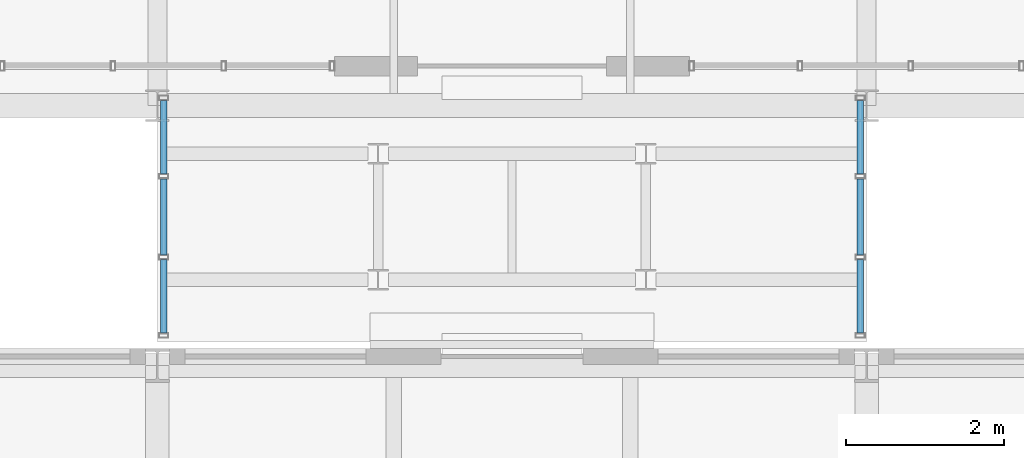
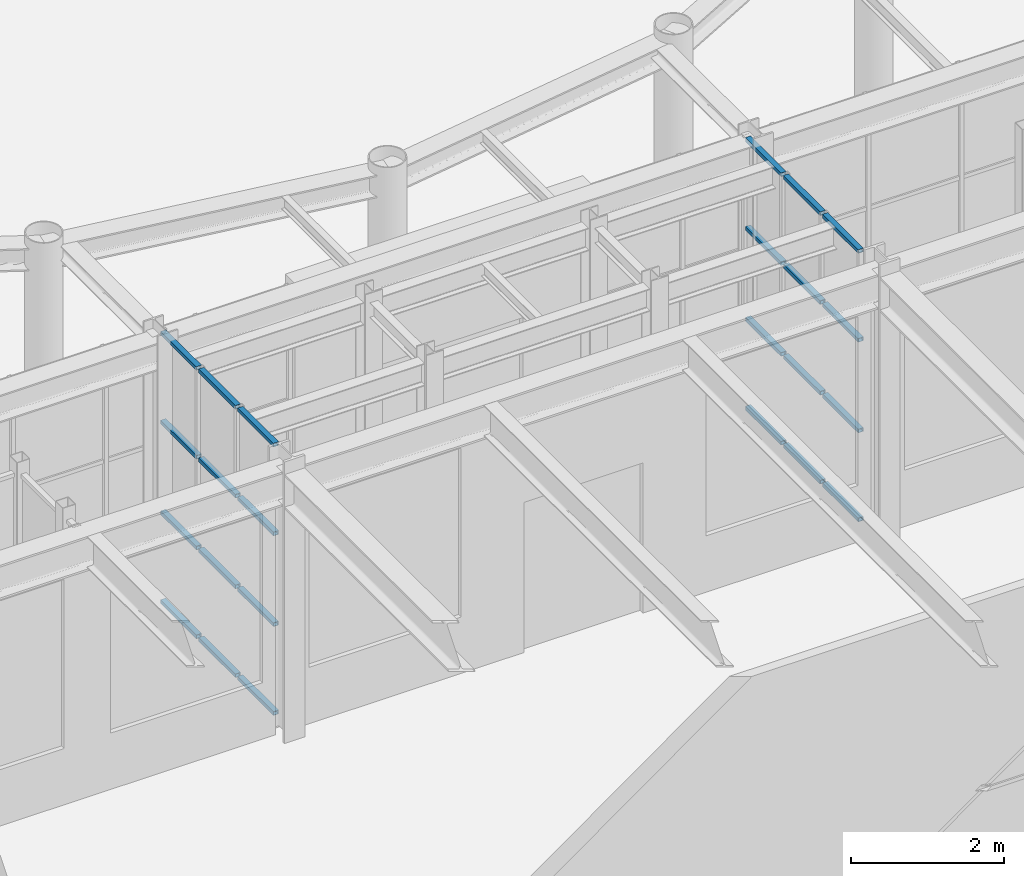
# One storey, part 73 of 149: 24 members, 2 elements without a shape of their own.
"""IFC4 building model written with IfcOpenShell, lengths in metres."""

import ifcopenshell
import ifcopenshell.guid

model = None  # the IFC model being written
_history = None  # IfcOwnerHistory: only IFC2X3 demands one
_inside = {}  # id of a spatial element -> (the spatial element, [elements in it])
_under = {}  # id of a project, library or spatial element -> (it, [spatial elements below it])
_declared = {}  # id of a project -> (the project, [libraries it declares])
_typed = {}  # id of a type object -> (the type object, [elements of that type])
_made_of = {}  # id of a material, layer set ... -> (it, [elements and type objects made of it])


def new_model(schema):
    """Start an empty IFC model of exactly this schema.

    Asked for "IFC4X3", IfcOpenShell would pick the latest addendum, in which some entities
    have other attributes; the version numbers below select the first issue.
    IFC2X3 requires an IfcOwnerHistory on every rooted entity: one is made here for all.
    """
    global model, _history
    if schema == "IFC4X3":
        model = ifcopenshell.file(schema_version=(4, 3, 0, 0))
    else:
        model = ifcopenshell.file(schema=schema)
    _inside.clear()
    _under.clear()
    _declared.clear()
    _typed.clear()
    _made_of.clear()
    _history = None
    if model.schema == "IFC2X3":
        org = make("IfcOrganization", Name="unknown")
        user = make(
            "IfcPersonAndOrganization",
            ThePerson=make("IfcPerson", FamilyName="unknown"),
            TheOrganization=org,
        )
        app = make(
            "IfcApplication",
            ApplicationDeveloper=org,
            Version="unknown",
            ApplicationFullName="unknown",
            ApplicationIdentifier="unknown",
        )
        _history = make(
            "IfcOwnerHistory",
            OwningUser=user,
            OwningApplication=app,
            ChangeAction="ADDED",
            CreationDate=0,
        )
    return model


def make(cls, **values):
    """One entity of the class cls with the attributes given. An attribute that is None is left unset."""
    return model.create_entity(
        cls, **{name: value for name, value in values.items() if value is not None}
    )


def rooted(cls, **values):
    """An entity with a GlobalId (a new one), such as an element, a storey or a relation."""
    return make(cls, GlobalId=ifcopenshell.guid.new(), OwnerHistory=_history, **values)


def si_unit(unit_type, name, prefix=None):
    """IfcSIUnit, for example si_unit("LENGTHUNIT", "METRE", prefix="MILLI")."""
    return make("IfcSIUnit", UnitType=unit_type, Prefix=prefix, Name=name)


def assignment(units):
    """IfcUnitAssignment: the units of a project."""
    return None if units is None else make("IfcUnitAssignment", Units=units)


def point(xyz):
    """IfcCartesianPoint."""
    return None if xyz is None else make("IfcCartesianPoint", Coordinates=xyz)


def direction(xyz):
    """IfcDirection."""
    return None if xyz is None else make("IfcDirection", DirectionRatios=xyz)


def frame(location, z_axis=None, x_axis=None):
    """IfcAxis2Placement3D, a coordinate frame: its origin and axes. An axis left out is left unset."""
    return make(
        "IfcAxis2Placement3D",
        Location=point(location),
        Axis=direction(z_axis),
        RefDirection=direction(x_axis),
    )


def frame_2d(location, x_axis=None):
    """IfcAxis2Placement2D, a coordinate frame in the plane: its origin and x axis."""
    return make(
        "IfcAxis2Placement2D", Location=point(location), RefDirection=direction(x_axis)
    )


def origin():
    """The frame at (0, 0, 0) with its axes left unset."""
    return frame((0.0, 0.0, 0.0))


def origin_2d():
    """The frame at (0, 0) in the plane with its x axis left unset."""
    return frame_2d((0.0, 0.0))


def place(relative_to, where):
    """IfcLocalPlacement: puts the frame where relative to a parent placement (None: the world)."""
    return make(
        "IfcLocalPlacement", PlacementRelTo=relative_to, RelativePlacement=where
    )


def context(
    kind, dimensions, precision=None, world=None, true_north=None, identifier=None
):
    """IfcGeometricRepresentationContext, for example the 3D "Model" context."""
    return make(
        "IfcGeometricRepresentationContext",
        ContextIdentifier=identifier,
        ContextType=kind,
        CoordinateSpaceDimension=dimensions,
        Precision=precision,
        WorldCoordinateSystem=world,
        TrueNorth=true_north,
    )


def subcontext(parent, identifier, kind, view, scale=None):
    """IfcGeometricRepresentationSubContext, for example "Body" below "Model"."""
    return make(
        "IfcGeometricRepresentationSubContext",
        ContextIdentifier=identifier,
        ContextType=kind,
        ParentContext=parent,
        TargetScale=scale,
        TargetView=view,
    )


def project(units=None, contexts=None):
    """IfcProject with its units and contexts."""
    return rooted(
        "IfcProject",
        Name="project",
        RepresentationContexts=contexts,
        UnitsInContext=assignment(units),
    )


def spatial(cls, under=None, at=None, **own):
    """A site, building, storey or space (cls), placed at a placement, below another one or the project."""
    s = rooted(cls, ObjectPlacement=at, **own)
    if under is not None:
        _under.setdefault(under.id(), (under, []))[1].append(s)
    return s


def profile(cls, at=None, kind="AREA", **sizes):
    """A parametric profile (cls). Its sizes go by their IFC names, for example OverallWidth=200.0."""
    return make(cls, ProfileType=kind, Position=at, **sizes)


def hollow_rectangle(**sizes):
    """IfcRectangleHollowProfileDef."""
    return profile("IfcRectangleHollowProfileDef", **sizes)


def extrude(swept, where, along, depth):
    """IfcExtrudedAreaSolid: the profile swept, set in the frame where, extruded along a direction by depth."""
    return make(
        "IfcExtrudedAreaSolid",
        SweptArea=swept,
        Position=where,
        ExtrudedDirection=direction(along),
        Depth=depth,
    )


def shape(context_of_items, identifier, shape_type, items):
    """IfcShapeRepresentation: the items that make up one representation, for example the "Body"."""
    return make(
        "IfcShapeRepresentation",
        ContextOfItems=context_of_items,
        RepresentationIdentifier=identifier,
        RepresentationType=shape_type,
        Items=items,
    )


def material(Name=None, Category=None):
    """IfcMaterial."""
    return make("IfcMaterial", Name=Name, Category=Category)


def material_profile(
    of_material, cross_section, Name=None, Category=None, Priority=None
):
    """IfcMaterialProfile: a cross section and its material."""
    return make(
        "IfcMaterialProfile",
        Name=Name,
        Material=of_material,
        Profile=cross_section,
        Priority=Priority,
        Category=Category,
    )


def profile_set(profiles, Name=None, composite=None):
    """IfcMaterialProfileSet."""
    return make(
        "IfcMaterialProfileSet",
        Name=Name,
        MaterialProfiles=profiles,
        CompositeProfile=composite,
    )


def made_of(thing, what):
    """Note that an element or type object is made of a material, layer set ...; save() writes the relation."""
    if what is not None:
        _made_of.setdefault(what.id(), (what, []))[1].append(thing)
    return thing


def type_object(cls, material=None, **own):
    """A type object (cls), such as IfcWallType, which elements share."""
    return made_of(rooted(cls, **own), material)


def element(
    cls,
    number,
    at=None,
    inside=None,
    cuts=None,
    type_object=None,
    material=None,
    context=None,
    identifier="Body",
    shape_type=None,
    held_by="IfcProductDefinitionShape",
    body=None,
    shapes=None,
    **own,
):
    """One element of the class cls, such as IfcWall. Its Tag is "e" and its number.

    at: its placement. inside: the storey or other place that contains it. cuts: it is an
    opening in that element (IfcRelVoidsElement). A single representation is given by context,
    identifier, shape_type and body (its items); several are given by shapes. held_by: the class
    of the entity that holds the representations. save() writes the other relations.
    """
    e = rooted(cls, Tag="e%d" % number, ObjectPlacement=at, **own)
    if body is not None:
        shapes = [shape(context, identifier, shape_type, body)]
    if shapes is not None:
        e.Representation = make(held_by, Representations=shapes)
    if inside is not None:
        _inside.setdefault(inside.id(), (inside, []))[1].append(e)
    if cuts is not None:
        rooted(
            "IfcRelVoidsElement", RelatingBuildingElement=cuts, RelatedOpeningElement=e
        )
    if type_object is not None:
        _typed.setdefault(type_object.id(), (type_object, []))[1].append(e)
    return made_of(e, material)


def aggregate(whole, parts):
    """IfcRelAggregates: a whole, such as a stair, and the parts it consists of."""
    return rooted("IfcRelAggregates", RelatingObject=whole, RelatedObjects=parts)


def save(model, path):
    """Write the relations noted so far, then the file.

    IfcRelAggregates (storeys below a building ...), IfcRelContainedInSpatialStructure (elements
    in a storey), IfcRelDefinesByType, IfcRelAssociatesMaterial and IfcRelDeclares: one each for
    every whole, place, type object, material and project.
    """
    for whole, parts in _under.values():
        aggregate(whole, parts)
    for where, things in _inside.values():
        rooted(
            "IfcRelContainedInSpatialStructure",
            RelatedElements=things,
            RelatingStructure=where,
        )
    for kind, things in _typed.values():
        rooted("IfcRelDefinesByType", RelatedObjects=things, RelatingType=kind)
    for what, things in _made_of.values():
        rooted("IfcRelAssociatesMaterial", RelatedObjects=things, RelatingMaterial=what)
    for by, libraries in _declared.values():
        rooted("IfcRelDeclares", RelatingContext=by, RelatedDefinitions=libraries)
    model.write(path)


model = new_model("IFC4")

# Units and contexts
model_context = context("Model", 3, precision=1e-05, world=origin(), true_north=direction((0.0, 1.0)))
body_context = subcontext(model_context, "Body", "Model", "MODEL_VIEW")
ifc_project = project(units=[si_unit("LENGTHUNIT", "METRE"), si_unit("AREAUNIT", "SQUARE_METRE"), si_unit("VOLUMEUNIT", "CUBIC_METRE"), si_unit("PLANEANGLEUNIT", "RADIAN"), si_unit("MASSUNIT", "GRAM", prefix="KILO")], contexts=[model_context])

# Site, building, storey
site_placement = place(None, origin())
site = spatial("IfcSite", under=ifc_project, at=site_placement, CompositionType="ELEMENT")
building_placement = place(site_placement, origin())
building = spatial("IfcBuilding", under=site, at=building_placement, Name="Kallimachos Central Library", CompositionType="ELEMENT")
storey_placement = place(building_placement, frame((0.0, 0.0, 9.89990234375)))
storey = spatial("IfcBuildingStorey", under=building, at=storey_placement, Name="L02", CompositionType="ELEMENT", Elevation=9.89990234375)

# Curtain wall, members
ifc_material_1 = material(Name="Aluminium and laminated glass", Category="aluminium")
curtain_wall_type = type_object("IfcCurtainWallType", Name="Link glazed wall", PredefinedType="NOTDEFINED", material=ifc_material_1)
curtain_wall_1_placement = place(storey_placement, origin())
curtain_wall_1 = element("IfcCurtainWall", 1, at=curtain_wall_1_placement, inside=storey, type_object=curtain_wall_type, Name="Reading Link glazed wall L02", PredefinedType="NOTDEFINED")
ifc_material_2 = material(Name="Anodised aluminium", Category="aluminium")
ifc_material_profile = material_profile(ifc_material_2, hollow_rectangle(XDim=0.06005859375, YDim=0.080078125, WallThickness=0.00390625, at=origin_2d()), Name="ALU TRANSOM 60x80")
ifc_profile_set = profile_set([ifc_material_profile], Name="Anodised aluminium")
member_type = type_object("IfcMemberType", Name="ALU TRANSOM 60x80 transom", PredefinedType="USERDEFINED", material=ifc_profile_set)
member_1_placement = place(storey_placement, frame((83.580078125, 84.260009765625, 0.030029296875), z_axis=(0.0, 1.0, 0.0), x_axis=(0.0, 0.0, 1.0)))
member_1 = element("IfcMember", 2, at=member_1_placement, type_object=member_type, Name="CW66 transom 1.1", ObjectType="TRANSOM", PredefinedType="USERDEFINED", context=body_context, shape_type="SweptSolid", body=[
    extrude(hollow_rectangle(XDim=0.06005859375, YDim=0.080078125, WallThickness=0.00390625, at=origin_2d()), origin(), (0.0, 0.0, 1.0), 0.93505859375),
])
member_2_placement = place(storey_placement, frame((83.580078125, 84.260009765625, 1.4501953125), z_axis=(0.0, 1.0, 0.0), x_axis=(0.0, 0.0, 1.0)))
member_2 = element("IfcMember", 3, at=member_2_placement, type_object=member_type, Name="CW66 transom 1.2", ObjectType="TRANSOM", PredefinedType="USERDEFINED", context=body_context, shape_type="SweptSolid", body=[
    extrude(hollow_rectangle(XDim=0.06005859375, YDim=0.080078125, WallThickness=0.00390625, at=origin_2d()), origin(), (0.0, 0.0, 1.0), 0.93505859375),
])
member_3_placement = place(storey_placement, frame((83.580078125, 84.260009765625, 2.900146484375), z_axis=(0.0, 1.0, 0.0), x_axis=(0.0, 0.0, 1.0)))
member_3 = element("IfcMember", 4, at=member_3_placement, type_object=member_type, Name="CW66 transom 1.3", ObjectType="TRANSOM", PredefinedType="USERDEFINED", context=body_context, shape_type="SweptSolid", body=[
    extrude(hollow_rectangle(XDim=0.06005859375, YDim=0.080078125, WallThickness=0.00390625, at=origin_2d()), origin(), (0.0, 0.0, 1.0), 0.93505859375),
])
member_4_placement = place(storey_placement, frame((83.580078125, 84.260009765625, 4.320068359375), z_axis=(0.0, 1.0, 0.0), x_axis=(0.0, 0.0, 1.0)))
member_4 = element("IfcMember", 5, at=member_4_placement, type_object=member_type, Name="CW66 transom 1.4", ObjectType="TRANSOM", PredefinedType="USERDEFINED", context=body_context, shape_type="SweptSolid", body=[
    extrude(hollow_rectangle(XDim=0.06005859375, YDim=0.080078125, WallThickness=0.00390625, at=origin_2d()), origin(), (0.0, 0.0, 1.0), 0.93505859375),
])
member_5_placement = place(storey_placement, frame((83.580078125, 85.2548828125, 0.030029296875), z_axis=(0.0, 1.0, 0.0), x_axis=(0.0, 0.0, 1.0)))
member_5 = element("IfcMember", 6, at=member_5_placement, type_object=member_type, Name="CW66 transom 2.1", ObjectType="TRANSOM", PredefinedType="USERDEFINED", context=body_context, shape_type="SweptSolid", body=[
    extrude(hollow_rectangle(XDim=0.06005859375, YDim=0.080078125, WallThickness=0.00390625, at=origin_2d()), origin(), (0.0, 0.0, 1.0), 0.965087890625),
])
member_6_placement = place(storey_placement, frame((83.580078125, 85.2548828125, 1.4501953125), z_axis=(0.0, 1.0, 0.0), x_axis=(0.0, 0.0, 1.0)))
member_6 = element("IfcMember", 7, at=member_6_placement, type_object=member_type, Name="CW66 transom 2.2", ObjectType="TRANSOM", PredefinedType="USERDEFINED", context=body_context, shape_type="SweptSolid", body=[
    extrude(hollow_rectangle(XDim=0.06005859375, YDim=0.080078125, WallThickness=0.00390625, at=origin_2d()), origin(), (0.0, 0.0, 1.0), 0.965087890625),
])
member_7_placement = place(storey_placement, frame((83.580078125, 85.2548828125, 2.900146484375), z_axis=(0.0, 1.0, 0.0), x_axis=(0.0, 0.0, 1.0)))
member_7 = element("IfcMember", 8, at=member_7_placement, type_object=member_type, Name="CW66 transom 2.3", ObjectType="TRANSOM", PredefinedType="USERDEFINED", context=body_context, shape_type="SweptSolid", body=[
    extrude(hollow_rectangle(XDim=0.06005859375, YDim=0.080078125, WallThickness=0.00390625, at=origin_2d()), origin(), (0.0, 0.0, 1.0), 0.965087890625),
])
member_8_placement = place(storey_placement, frame((83.580078125, 85.2548828125, 4.320068359375), z_axis=(0.0, 1.0, 0.0), x_axis=(0.0, 0.0, 1.0)))
member_8 = element("IfcMember", 9, at=member_8_placement, type_object=member_type, Name="CW66 transom 2.4", ObjectType="TRANSOM", PredefinedType="USERDEFINED", context=body_context, shape_type="SweptSolid", body=[
    extrude(hollow_rectangle(XDim=0.06005859375, YDim=0.080078125, WallThickness=0.00390625, at=origin_2d()), origin(), (0.0, 0.0, 1.0), 0.965087890625),
])
member_9_placement = place(storey_placement, frame((83.580078125, 86.280029296875, 0.030029296875), z_axis=(0.0, 1.0, 0.0), x_axis=(0.0, 0.0, 1.0)))
member_9 = element("IfcMember", 10, at=member_9_placement, type_object=member_type, Name="CW66 transom 3.1", ObjectType="TRANSOM", PredefinedType="USERDEFINED", context=body_context, shape_type="SweptSolid", body=[
    extrude(hollow_rectangle(XDim=0.06005859375, YDim=0.080078125, WallThickness=0.00390625, at=origin_2d()), origin(), (0.0, 0.0, 1.0), 0.93505859375),
])
member_10_placement = place(storey_placement, frame((83.580078125, 86.280029296875, 1.4501953125), z_axis=(0.0, 1.0, 0.0), x_axis=(0.0, 0.0, 1.0)))
member_10 = element("IfcMember", 11, at=member_10_placement, type_object=member_type, Name="CW66 transom 3.2", ObjectType="TRANSOM", PredefinedType="USERDEFINED", context=body_context, shape_type="SweptSolid", body=[
    extrude(hollow_rectangle(XDim=0.06005859375, YDim=0.080078125, WallThickness=0.00390625, at=origin_2d()), origin(), (0.0, 0.0, 1.0), 0.93505859375),
])
member_11_placement = place(storey_placement, frame((83.580078125, 86.280029296875, 2.900146484375), z_axis=(0.0, 1.0, 0.0), x_axis=(0.0, 0.0, 1.0)))
member_11 = element("IfcMember", 12, at=member_11_placement, type_object=member_type, Name="CW66 transom 3.3", ObjectType="TRANSOM", PredefinedType="USERDEFINED", context=body_context, shape_type="SweptSolid", body=[
    extrude(hollow_rectangle(XDim=0.06005859375, YDim=0.080078125, WallThickness=0.00390625, at=origin_2d()), origin(), (0.0, 0.0, 1.0), 0.93505859375),
])
member_12_placement = place(storey_placement, frame((83.580078125, 86.280029296875, 4.320068359375), z_axis=(0.0, 1.0, 0.0), x_axis=(0.0, 0.0, 1.0)))
member_12 = element("IfcMember", 13, at=member_12_placement, type_object=member_type, Name="CW66 transom 3.4", ObjectType="TRANSOM", PredefinedType="USERDEFINED", context=body_context, shape_type="SweptSolid", body=[
    extrude(hollow_rectangle(XDim=0.06005859375, YDim=0.080078125, WallThickness=0.00390625, at=origin_2d()), origin(), (0.0, 0.0, 1.0), 0.93505859375),
])
aggregate(curtain_wall_1, [member_1, member_2, member_3, member_4, member_5, member_6, member_7, member_8, member_9, member_10, member_11, member_12])

curtain_wall_2_placement = place(storey_placement, origin())
curtain_wall_2 = element("IfcCurtainWall", 14, at=curtain_wall_2_placement, inside=storey, type_object=curtain_wall_type, Name="Reading Link glazed wall L02", PredefinedType="NOTDEFINED")
member_13_placement = place(storey_placement, frame((92.419921875, 84.260009765625, 0.030029296875), z_axis=(0.0, 1.0, 0.0), x_axis=(0.0, 0.0, 1.0)))
member_13 = element("IfcMember", 15, at=member_13_placement, type_object=member_type, Name="CW67 transom 1.1", ObjectType="TRANSOM", PredefinedType="USERDEFINED", context=body_context, shape_type="SweptSolid", body=[
    extrude(hollow_rectangle(XDim=0.06005859375, YDim=0.080078125, WallThickness=0.00390625, at=origin_2d()), origin(), (0.0, 0.0, 1.0), 0.93505859375),
])
member_14_placement = place(storey_placement, frame((92.419921875, 84.260009765625, 1.4501953125), z_axis=(0.0, 1.0, 0.0), x_axis=(0.0, 0.0, 1.0)))
member_14 = element("IfcMember", 16, at=member_14_placement, type_object=member_type, Name="CW67 transom 1.2", ObjectType="TRANSOM", PredefinedType="USERDEFINED", context=body_context, shape_type="SweptSolid", body=[
    extrude(hollow_rectangle(XDim=0.06005859375, YDim=0.080078125, WallThickness=0.00390625, at=origin_2d()), origin(), (0.0, 0.0, 1.0), 0.93505859375),
])
member_15_placement = place(storey_placement, frame((92.419921875, 84.260009765625, 2.900146484375), z_axis=(0.0, 1.0, 0.0), x_axis=(0.0, 0.0, 1.0)))
member_15 = element("IfcMember", 17, at=member_15_placement, type_object=member_type, Name="CW67 transom 1.3", ObjectType="TRANSOM", PredefinedType="USERDEFINED", context=body_context, shape_type="SweptSolid", body=[
    extrude(hollow_rectangle(XDim=0.06005859375, YDim=0.080078125, WallThickness=0.00390625, at=origin_2d()), origin(), (0.0, 0.0, 1.0), 0.93505859375),
])
member_16_placement = place(storey_placement, frame((92.419921875, 84.260009765625, 4.320068359375), z_axis=(0.0, 1.0, 0.0), x_axis=(0.0, 0.0, 1.0)))
member_16 = element("IfcMember", 18, at=member_16_placement, type_object=member_type, Name="CW67 transom 1.4", ObjectType="TRANSOM", PredefinedType="USERDEFINED", context=body_context, shape_type="SweptSolid", body=[
    extrude(hollow_rectangle(XDim=0.06005859375, YDim=0.080078125, WallThickness=0.00390625, at=origin_2d()), origin(), (0.0, 0.0, 1.0), 0.93505859375),
])
member_17_placement = place(storey_placement, frame((92.419921875, 85.2548828125, 0.030029296875), z_axis=(0.0, 1.0, 0.0), x_axis=(0.0, 0.0, 1.0)))
member_17 = element("IfcMember", 19, at=member_17_placement, type_object=member_type, Name="CW67 transom 2.1", ObjectType="TRANSOM", PredefinedType="USERDEFINED", context=body_context, shape_type="SweptSolid", body=[
    extrude(hollow_rectangle(XDim=0.06005859375, YDim=0.080078125, WallThickness=0.00390625, at=origin_2d()), origin(), (0.0, 0.0, 1.0), 0.965087890625),
])
member_18_placement = place(storey_placement, frame((92.419921875, 85.2548828125, 1.4501953125), z_axis=(0.0, 1.0, 0.0), x_axis=(0.0, 0.0, 1.0)))
member_18 = element("IfcMember", 20, at=member_18_placement, type_object=member_type, Name="CW67 transom 2.2", ObjectType="TRANSOM", PredefinedType="USERDEFINED", context=body_context, shape_type="SweptSolid", body=[
    extrude(hollow_rectangle(XDim=0.06005859375, YDim=0.080078125, WallThickness=0.00390625, at=origin_2d()), origin(), (0.0, 0.0, 1.0), 0.965087890625),
])
member_19_placement = place(storey_placement, frame((92.419921875, 85.2548828125, 2.900146484375), z_axis=(0.0, 1.0, 0.0), x_axis=(0.0, 0.0, 1.0)))
member_19 = element("IfcMember", 21, at=member_19_placement, type_object=member_type, Name="CW67 transom 2.3", ObjectType="TRANSOM", PredefinedType="USERDEFINED", context=body_context, shape_type="SweptSolid", body=[
    extrude(hollow_rectangle(XDim=0.06005859375, YDim=0.080078125, WallThickness=0.00390625, at=origin_2d()), origin(), (0.0, 0.0, 1.0), 0.965087890625),
])
member_20_placement = place(storey_placement, frame((92.419921875, 85.2548828125, 4.320068359375), z_axis=(0.0, 1.0, 0.0), x_axis=(0.0, 0.0, 1.0)))
member_20 = element("IfcMember", 22, at=member_20_placement, type_object=member_type, Name="CW67 transom 2.4", ObjectType="TRANSOM", PredefinedType="USERDEFINED", context=body_context, shape_type="SweptSolid", body=[
    extrude(hollow_rectangle(XDim=0.06005859375, YDim=0.080078125, WallThickness=0.00390625, at=origin_2d()), origin(), (0.0, 0.0, 1.0), 0.965087890625),
])
member_21_placement = place(storey_placement, frame((92.419921875, 86.280029296875, 0.030029296875), z_axis=(0.0, 1.0, 0.0), x_axis=(0.0, 0.0, 1.0)))
member_21 = element("IfcMember", 23, at=member_21_placement, type_object=member_type, Name="CW67 transom 3.1", ObjectType="TRANSOM", PredefinedType="USERDEFINED", context=body_context, shape_type="SweptSolid", body=[
    extrude(hollow_rectangle(XDim=0.06005859375, YDim=0.080078125, WallThickness=0.00390625, at=origin_2d()), origin(), (0.0, 0.0, 1.0), 0.93505859375),
])
member_22_placement = place(storey_placement, frame((92.419921875, 86.280029296875, 1.4501953125), z_axis=(0.0, 1.0, 0.0), x_axis=(0.0, 0.0, 1.0)))
member_22 = element("IfcMember", 24, at=member_22_placement, type_object=member_type, Name="CW67 transom 3.2", ObjectType="TRANSOM", PredefinedType="USERDEFINED", context=body_context, shape_type="SweptSolid", body=[
    extrude(hollow_rectangle(XDim=0.06005859375, YDim=0.080078125, WallThickness=0.00390625, at=origin_2d()), origin(), (0.0, 0.0, 1.0), 0.93505859375),
])
member_23_placement = place(storey_placement, frame((92.419921875, 86.280029296875, 2.900146484375), z_axis=(0.0, 1.0, 0.0), x_axis=(0.0, 0.0, 1.0)))
member_23 = element("IfcMember", 25, at=member_23_placement, type_object=member_type, Name="CW67 transom 3.3", ObjectType="TRANSOM", PredefinedType="USERDEFINED", context=body_context, shape_type="SweptSolid", body=[
    extrude(hollow_rectangle(XDim=0.06005859375, YDim=0.080078125, WallThickness=0.00390625, at=origin_2d()), origin(), (0.0, 0.0, 1.0), 0.93505859375),
])
member_24_placement = place(storey_placement, frame((92.419921875, 86.280029296875, 4.320068359375), z_axis=(0.0, 1.0, 0.0), x_axis=(0.0, 0.0, 1.0)))
member_24 = element("IfcMember", 26, at=member_24_placement, type_object=member_type, Name="CW67 transom 3.4", ObjectType="TRANSOM", PredefinedType="USERDEFINED", context=body_context, shape_type="SweptSolid", body=[
    extrude(hollow_rectangle(XDim=0.06005859375, YDim=0.080078125, WallThickness=0.00390625, at=origin_2d()), origin(), (0.0, 0.0, 1.0), 0.93505859375),
])
aggregate(curtain_wall_2, [member_13, member_14, member_15, member_16, member_17, member_18, member_19, member_20, member_21, member_22, member_23, member_24])

save(model, "model.ifc")
